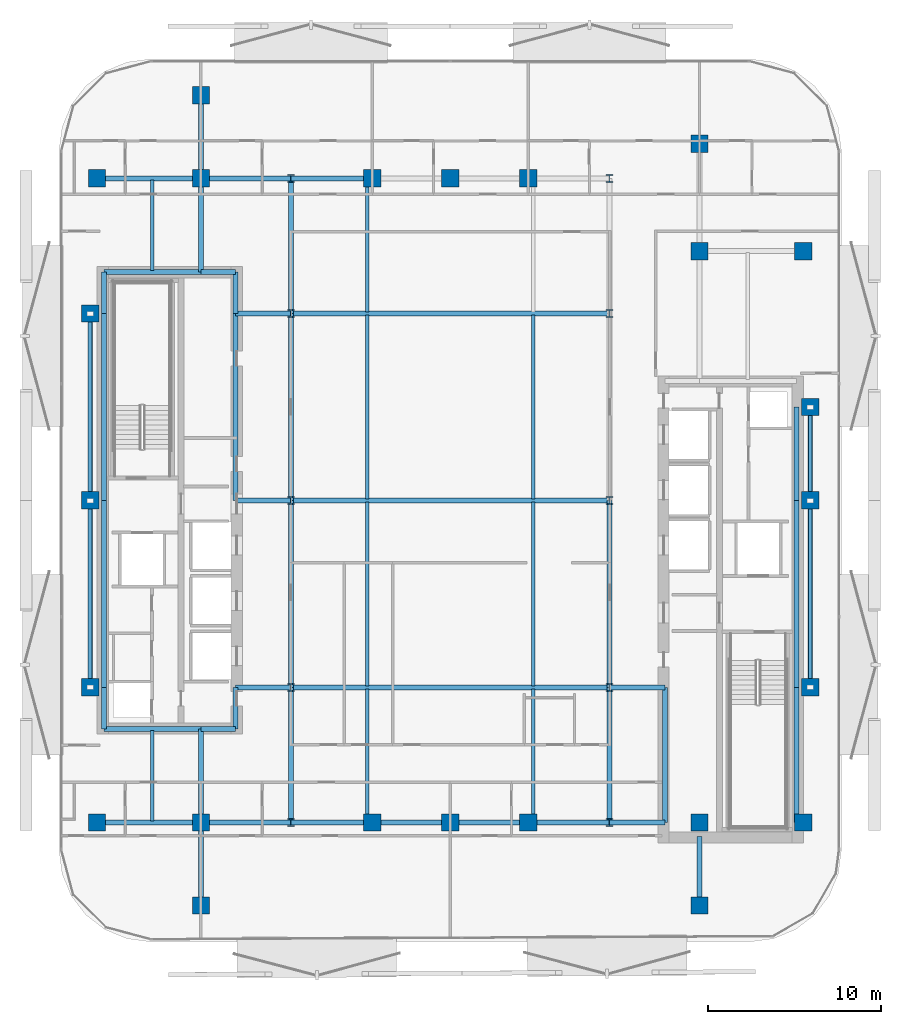
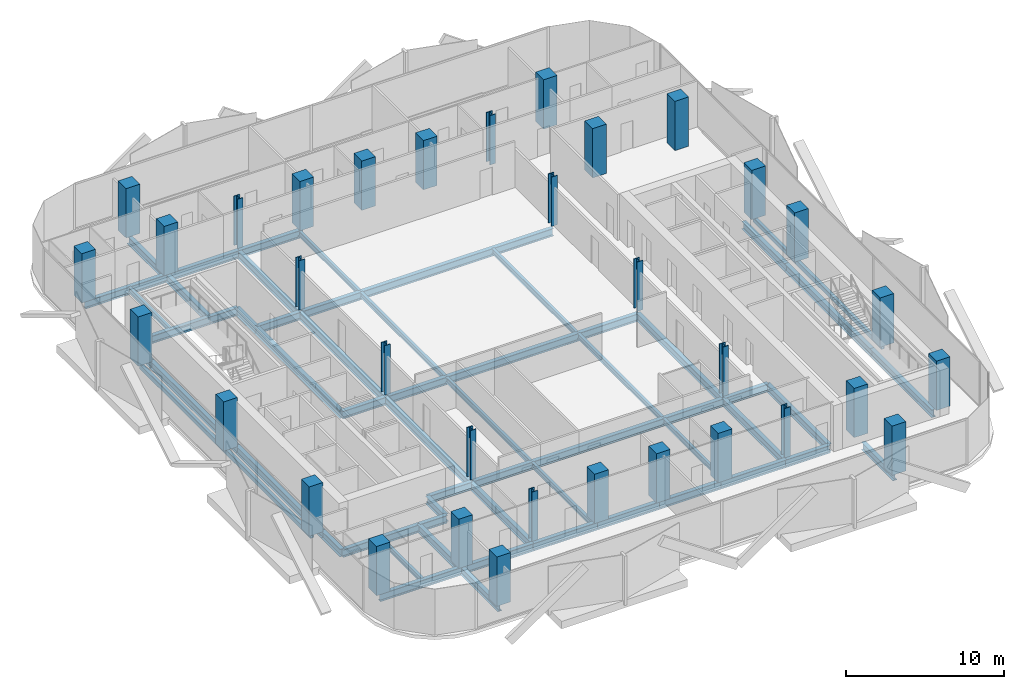
# One storey, part 1 of 17: 56 beams, 34 columns.
"""IFC4 building model written with IfcOpenShell, lengths in metres."""

from ifc_helpers import new_model, si_unit, direction, frame, origin, origin_2d, place, context, subcontext, project, spatial, rectangle, hollow_rectangle, i_section, extrude, material, material_profile, profile_set, type_object, element, save


model = new_model("IFC4")

# Units and contexts
model_context = context("Model", 3, precision=1e-05, world=origin(), true_north=direction((0.0, 1.0)))
body_context = subcontext(model_context, "Body", "Model", "MODEL_VIEW")
ifc_project = project(units=[si_unit("LENGTHUNIT", "METRE"), si_unit("AREAUNIT", "SQUARE_METRE"), si_unit("VOLUMEUNIT", "CUBIC_METRE"), si_unit("PLANEANGLEUNIT", "RADIAN"), si_unit("MASSUNIT", "GRAM", prefix="KILO")], contexts=[model_context])

# Site, building, storey
site_placement = place(None, origin())
site = spatial("IfcSite", under=ifc_project, at=site_placement, CompositionType="ELEMENT")
building_placement = place(site_placement, origin())
building = spatial("IfcBuilding", under=site, at=building_placement, Name="Khairoan Windgate Tower", CompositionType="ELEMENT")
storey_placement = place(building_placement, frame((0.0, 0.0, 172.60009765625)))
storey = spatial("IfcBuildingStorey", under=building, at=storey_placement, Name="L39", CompositionType="ELEMENT", Elevation=172.60009765625)

# Columns
ifc_material_1 = material(Name="Concrete C50/60", Category="concrete")
ifc_material_profile_1 = material_profile(ifc_material_1, rectangle(XDim=1.0, YDim=1.0, at=origin_2d()))
ifc_profile_set_1 = profile_set([ifc_material_profile_1], Name="Concrete C50/60")
column_type_1 = type_object("IfcColumnType", Name="Column C-T4 RC1000x1000", PredefinedType="COLUMN", material=ifc_profile_set_1)
for number, where, z_axis, x_axis, name in (
    (1, (-20.39990234375, -18.60009765625, 0.0), (0.0, 0.0, 1.0), (1.0, 0.0, 0.0), "Column L39-11"),
    (2, (-20.39990234375, 18.60009765625, 0.0), (0.0, 0.0, 1.0), (1.0, 0.0, 0.0), "Column L39-12"),
    (3, (20.39990234375, -18.60009765625, 0.0), (0.0, 0.0, 1.0), (1.0, 0.0, 0.0), "Column L39-13"),
    (4, (20.39990234375, 14.39990234375, 0.0), (0.0, 0.0, 1.0), (1.0, 0.0, 0.0), "Column L39-14"),
    (5, (-14.39990234375, -18.60009765625, 0.0), (0.0, 0.0, 1.0), (1.0, 0.0, 0.0), "Column L39-15"),
    (6, (-14.39990234375, 18.60009765625, 0.0), (0.0, 0.0, 1.0), (1.0, 0.0, 0.0), "Column L39-16"),
    (7, (14.39990234375, -18.60009765625, 0.0), (0.0, 0.0, 1.0), (1.0, 0.0, 0.0), "Column L39-17"),
    (8, (14.39990234375, 14.39990234375, 0.0), (0.0, 0.0, 1.0), (1.0, 0.0, 0.0), "Column L39-18"),
    (9, (-4.5, -18.60009765625, 0.0), (0.0, 0.0, 1.0), (1.0, 0.0, 0.0), "Column L39-19"),
    (10, (0.0, -18.60009765625, 0.0), (0.0, 0.0, 1.0), (1.0, 0.0, 0.0), "Column L39-20"),
    (11, (4.5, -18.60009765625, 0.0), (0.0, 0.0, 1.0), (1.0, 0.0, 0.0), "Column L39-21"),
    (12, (-4.5, 18.60009765625, 0.0), (0.0, 0.0, 1.0), (1.0, 0.0, 0.0), "Column L39-22"),
    (13, (0.0, 18.60009765625, 0.0), (0.0, 0.0, 1.0), (1.0, 0.0, 0.0), "Column L39-23"),
    (14, (4.5, 18.60009765625, 0.0), (0.0, 0.0, 1.0), (1.0, 0.0, 0.0), "Column L39-24"),
    (15, (-20.800048828125, -10.800048828125, 0.0), (0.0, 0.0, 1.0), (1.0, 0.0, 0.0), "Column L39-25"),
    (16, (-20.800048828125, 0.0, 0.0), (0.0, 0.0, 1.0), (1.0, 0.0, 0.0), "Column L39-26"),
    (17, (-20.800048828125, 10.800048828125, 0.0), (0.0, 0.0, 1.0), (1.0, 0.0, 0.0), "Column L39-27"),
    (18, (20.800048828125, -10.800048828125, 0.0), (0.0, 0.0, 1.0), (1.0, 0.0, 0.0), "Column L39-28"),
    (19, (20.800048828125, 0.0, 0.0), (0.0, 0.0, 1.0), (1.0, 0.0, 0.0), "Column L39-29"),
    (20, (20.800048828125, 5.39990234375, 0.0), (0.0, 0.0, 1.0), (1.0, 0.0, 0.0), "Column L39-30"),
    (21, (-14.39990234375, -23.39990234375, 0.0), (0.0, 0.0, 1.0), (1.0, 0.0, 0.0), "Column L39-31"),
    (22, (-14.39990234375, 23.39990234375, 0.0), (0.0, 0.0, 1.0), (1.0, 0.0, 0.0), "Column L39-32"),
    (23, (14.39990234375, -23.39990234375, 0.0), (0.0, 0.0, 1.0), (1.0, 0.0, 0.0), "Column L39-33"),
    (24, (14.39990234375, 20.60009765625, 0.0), (0.0, 0.0, 1.0), (1.0, 0.0, 0.0), "Column L39-34"),
):
    element("IfcColumn", number, at=place(storey_placement, frame(where, z_axis=z_axis, x_axis=x_axis)), inside=storey, type_object=column_type_1, Name=name, PredefinedType="COLUMN", context=body_context, shape_type="SweptSolid", body=[
        extrude(rectangle(XDim=1.0, YDim=1.0, at=origin_2d()), origin(), (0.0, 0.0, 1.0), 3.7998046875),
    ])
ifc_material_2 = material(Name="Steel S355", Category="steel")
ifc_material_profile_2 = material_profile(ifc_material_2, i_section(OverallWidth=0.4169921875, OverallDepth=0.4580078125, WebThickness=0.030029296875, FlangeThickness=0.050048828125, FilletRadius=0.02197265625, at=origin_2d()))
ifc_profile_set_2 = profile_set([ifc_material_profile_2], Name="Steel S355")
column_type_2 = type_object("IfcColumnType", Name="Steel Column SC2 H458x417x30x50", PredefinedType="COLUMN", material=ifc_profile_set_2)
for number, where, z_axis, x_axis, name in (
    (25, (-9.199951171875, -18.60009765625, 0.0), (0.0, 0.0, 1.0), (1.0, 0.0, 0.0), "Column L39-01"),
    (26, (-9.199951171875, -10.800048828125, 0.0), (0.0, 0.0, 1.0), (1.0, 0.0, 0.0), "Column L39-02"),
    (27, (-9.199951171875, 0.0, 0.0), (0.0, 0.0, 1.0), (1.0, 0.0, 0.0), "Column L39-03"),
    (28, (-9.199951171875, 10.800048828125, 0.0), (0.0, 0.0, 1.0), (1.0, 0.0, 0.0), "Column L39-04"),
    (29, (-9.199951171875, 18.60009765625, 0.0), (0.0, 0.0, 1.0), (1.0, 0.0, 0.0), "Column L39-05"),
    (30, (9.199951171875, -18.60009765625, 0.0), (0.0, 0.0, 1.0), (1.0, 0.0, 0.0), "Column L39-06"),
    (31, (9.199951171875, -10.800048828125, 0.0), (0.0, 0.0, 1.0), (1.0, 0.0, 0.0), "Column L39-07"),
    (32, (9.199951171875, 0.0, 0.0), (0.0, 0.0, 1.0), (1.0, 0.0, 0.0), "Column L39-08"),
    (33, (9.199951171875, 10.800048828125, 0.0), (0.0, 0.0, 1.0), (1.0, 0.0, 0.0), "Column L39-09"),
    (34, (9.199951171875, 18.60009765625, 0.0), (0.0, 0.0, 1.0), (1.0, 0.0, 0.0), "Column L39-10"),
):
    element("IfcColumn", number, at=place(storey_placement, frame(where, z_axis=z_axis, x_axis=x_axis)), inside=storey, type_object=column_type_2, Name=name, PredefinedType="COLUMN", context=body_context, shape_type="SweptSolid", body=[
        extrude(i_section(OverallWidth=0.4169921875, OverallDepth=0.4580078125, WebThickness=0.030029296875, FlangeThickness=0.050048828125, FilletRadius=0.02197265625, at=origin_2d()), origin(), (0.0, 0.0, 1.0), 3.7998046875),
    ])

# Beams
ifc_material_3 = material(Name="Steel S355", Category="steel")
ifc_material_profile_3 = material_profile(ifc_material_3, i_section(OverallWidth=0.300048828125, OverallDepth=0.587890625, WebThickness=0.011962890625, FlangeThickness=0.02001953125, FilletRadius=0.02392578125, at=origin_2d()))
ifc_profile_set_3 = profile_set([ifc_material_profile_3], Name="Steel S355")
beam_type_1 = type_object("IfcBeamType", Name="Beam B-G4 H588x300x12x20", PredefinedType="BEAM", material=ifc_profile_set_3)
beam_1_placement = place(storey_placement, frame((-20.39990234375, -18.60009765625, -0.55419921875), z_axis=(1.0, 0.0, 0.0), x_axis=(0.0, 1.0, 0.0)))
element("IfcBeam", 35, at=beam_1_placement, inside=storey, type_object=beam_type_1, Name="L39 E-W Primary Girder 01", PredefinedType="BEAM", context=body_context, shape_type="SweptSolid", body=[
    extrude(i_section(OverallWidth=0.300048828125, OverallDepth=0.587890625, WebThickness=0.011962890625, FlangeThickness=0.02001953125, FilletRadius=0.02392578125, at=origin_2d()), origin(), (0.0, 0.0, 1.0), 6.0),
])
beam_2_placement = place(storey_placement, frame((-14.39990234375, -18.60009765625, -0.55419921875), z_axis=(1.0, 0.0, 0.0), x_axis=(0.0, 1.0, 0.0)))
element("IfcBeam", 36, at=beam_2_placement, inside=storey, type_object=beam_type_1, Name="L39 E-W Primary Girder 02", PredefinedType="BEAM", context=body_context, shape_type="SweptSolid", body=[
    extrude(i_section(OverallWidth=0.300048828125, OverallDepth=0.587890625, WebThickness=0.011962890625, FlangeThickness=0.02001953125, FilletRadius=0.02392578125, at=origin_2d()), origin(), (0.0, 0.0, 1.0), 5.199951171875),
])
beam_3_placement = place(storey_placement, frame((-9.199951171875, -18.60009765625, -0.55419921875), z_axis=(1.0, 0.0, 0.0), x_axis=(0.0, 1.0, 0.0)))
element("IfcBeam", 37, at=beam_3_placement, inside=storey, type_object=beam_type_1, Name="L39 E-W Primary Girder 03", PredefinedType="BEAM", context=body_context, shape_type="SweptSolid", body=[
    extrude(i_section(OverallWidth=0.300048828125, OverallDepth=0.587890625, WebThickness=0.011962890625, FlangeThickness=0.02001953125, FilletRadius=0.02392578125, at=origin_2d()), origin(), (0.0, 0.0, 1.0), 4.699951171875),
])
for number, where, z_axis, x_axis, name in (
    (38, (-4.5, -18.60009765625, -0.55419921875), (1.0, 0.0, 0.0), (0.0, 1.0, 0.0), "L39 E-W Primary Girder 04"),
    (39, (0.0, -18.60009765625, -0.55419921875), (1.0, 0.0, 0.0), (0.0, 1.0, 0.0), "L39 E-W Primary Girder 05"),
):
    element("IfcBeam", number, at=place(storey_placement, frame(where, z_axis=z_axis, x_axis=x_axis)), inside=storey, type_object=beam_type_1, Name=name, PredefinedType="BEAM", context=body_context, shape_type="SweptSolid", body=[
        extrude(i_section(OverallWidth=0.300048828125, OverallDepth=0.587890625, WebThickness=0.011962890625, FlangeThickness=0.02001953125, FilletRadius=0.02392578125, at=origin_2d()), origin(), (0.0, 0.0, 1.0), 4.5),
    ])
beam_4_placement = place(storey_placement, frame((4.5, -18.60009765625, -0.55419921875), z_axis=(1.0, 0.0, 0.0), x_axis=(0.0, 1.0, 0.0)))
element("IfcBeam", 40, at=beam_4_placement, inside=storey, type_object=beam_type_1, Name="L39 E-W Primary Girder 06", PredefinedType="BEAM", context=body_context, shape_type="SweptSolid", body=[
    extrude(i_section(OverallWidth=0.300048828125, OverallDepth=0.587890625, WebThickness=0.011962890625, FlangeThickness=0.02001953125, FilletRadius=0.02392578125, at=origin_2d()), origin(), (0.0, 0.0, 1.0), 4.699951171875),
])
beam_5_placement = place(storey_placement, frame((9.199951171875, -18.60009765625, -0.55419921875), z_axis=(1.0, 0.0, 0.0), x_axis=(0.0, 1.0, 0.0)))
element("IfcBeam", 41, at=beam_5_placement, inside=storey, type_object=beam_type_1, Name="L39 E-W Primary Girder 07", PredefinedType="BEAM", context=body_context, shape_type="SweptSolid", body=[
    extrude(i_section(OverallWidth=0.300048828125, OverallDepth=0.587890625, WebThickness=0.011962890625, FlangeThickness=0.02001953125, FilletRadius=0.02392578125, at=origin_2d()), origin(), (0.0, 0.0, 1.0), 3.199951171875),
])
beam_6_placement = place(storey_placement, frame((-20.0, -13.199951171875, -0.55419921875), z_axis=(1.0, 0.0, 0.0), x_axis=(0.0, 1.0, 0.0)))
element("IfcBeam", 42, at=beam_6_placement, inside=storey, type_object=beam_type_1, Name="L39 E-W Primary Girder 08", PredefinedType="BEAM", context=body_context, shape_type="SweptSolid", body=[
    extrude(i_section(OverallWidth=0.300048828125, OverallDepth=0.587890625, WebThickness=0.011962890625, FlangeThickness=0.02001953125, FilletRadius=0.02392578125, at=origin_2d()), origin(), (0.0, 0.0, 1.0), 5.60009765625),
])
beam_7_placement = place(storey_placement, frame((-14.39990234375, -13.199951171875, -0.55419921875), z_axis=(1.0, 0.0, 0.0), x_axis=(0.0, 1.0, 0.0)))
element("IfcBeam", 43, at=beam_7_placement, inside=storey, type_object=beam_type_1, Name="L39 E-W Primary Girder 09", PredefinedType="BEAM", context=body_context, shape_type="SweptSolid", body=[
    extrude(i_section(OverallWidth=0.300048828125, OverallDepth=0.587890625, WebThickness=0.011962890625, FlangeThickness=0.02001953125, FilletRadius=0.02392578125, at=origin_2d()), origin(), (0.0, 0.0, 1.0), 2.0),
])
beam_8_placement = place(storey_placement, frame((-12.39990234375, -10.800048828125, -0.55419921875), z_axis=(1.0, 0.0, 0.0), x_axis=(0.0, 1.0, 0.0)))
element("IfcBeam", 44, at=beam_8_placement, inside=storey, type_object=beam_type_1, Name="L39 E-W Primary Girder 10", PredefinedType="BEAM", context=body_context, shape_type="SweptSolid", body=[
    extrude(i_section(OverallWidth=0.300048828125, OverallDepth=0.587890625, WebThickness=0.011962890625, FlangeThickness=0.02001953125, FilletRadius=0.02392578125, at=origin_2d()), origin(), (0.0, 0.0, 1.0), 3.199951171875),
])
beam_9_placement = place(storey_placement, frame((-9.199951171875, -10.800048828125, -0.55419921875), z_axis=(1.0, 0.0, 0.0), x_axis=(0.0, 1.0, 0.0)))
element("IfcBeam", 45, at=beam_9_placement, inside=storey, type_object=beam_type_1, Name="L39 E-W Primary Girder 11", PredefinedType="BEAM", context=body_context, shape_type="SweptSolid", body=[
    extrude(i_section(OverallWidth=0.300048828125, OverallDepth=0.587890625, WebThickness=0.011962890625, FlangeThickness=0.02001953125, FilletRadius=0.02392578125, at=origin_2d()), origin(), (0.0, 0.0, 1.0), 18.39990234375),
])
for number, where, z_axis, x_axis, name in (
    (46, (9.199951171875, -10.800048828125, -0.55419921875), (1.0, 0.0, 0.0), (0.0, 1.0, 0.0), "L39 E-W Primary Girder 12"),
    (47, (-12.39990234375, 0.0, -0.55419921875), (1.0, 0.0, 0.0), (0.0, 1.0, 0.0), "L39 E-W Primary Girder 13"),
):
    element("IfcBeam", number, at=place(storey_placement, frame(where, z_axis=z_axis, x_axis=x_axis)), inside=storey, type_object=beam_type_1, Name=name, PredefinedType="BEAM", context=body_context, shape_type="SweptSolid", body=[
        extrude(i_section(OverallWidth=0.300048828125, OverallDepth=0.587890625, WebThickness=0.011962890625, FlangeThickness=0.02001953125, FilletRadius=0.02392578125, at=origin_2d()), origin(), (0.0, 0.0, 1.0), 3.199951171875),
    ])
beam_10_placement = place(storey_placement, frame((-9.199951171875, 0.0, -0.55419921875), z_axis=(1.0, 0.0, 0.0), x_axis=(0.0, 1.0, 0.0)))
element("IfcBeam", 48, at=beam_10_placement, inside=storey, type_object=beam_type_1, Name="L39 E-W Primary Girder 14", PredefinedType="BEAM", context=body_context, shape_type="SweptSolid", body=[
    extrude(i_section(OverallWidth=0.300048828125, OverallDepth=0.587890625, WebThickness=0.011962890625, FlangeThickness=0.02001953125, FilletRadius=0.02392578125, at=origin_2d()), origin(), (0.0, 0.0, 1.0), 18.39990234375),
])
beam_11_placement = place(storey_placement, frame((-12.39990234375, 10.800048828125, -0.55419921875), z_axis=(1.0, 0.0, 0.0), x_axis=(0.0, 1.0, 0.0)))
element("IfcBeam", 49, at=beam_11_placement, inside=storey, type_object=beam_type_1, Name="L39 E-W Primary Girder 17", PredefinedType="BEAM", context=body_context, shape_type="SweptSolid", body=[
    extrude(i_section(OverallWidth=0.300048828125, OverallDepth=0.587890625, WebThickness=0.011962890625, FlangeThickness=0.02001953125, FilletRadius=0.02392578125, at=origin_2d()), origin(), (0.0, 0.0, 1.0), 3.199951171875),
])
beam_12_placement = place(storey_placement, frame((-9.199951171875, 10.800048828125, -0.55419921875), z_axis=(1.0, 0.0, 0.0), x_axis=(0.0, 1.0, 0.0)))
element("IfcBeam", 50, at=beam_12_placement, inside=storey, type_object=beam_type_1, Name="L39 E-W Primary Girder 18", PredefinedType="BEAM", context=body_context, shape_type="SweptSolid", body=[
    extrude(i_section(OverallWidth=0.300048828125, OverallDepth=0.587890625, WebThickness=0.011962890625, FlangeThickness=0.02001953125, FilletRadius=0.02392578125, at=origin_2d()), origin(), (0.0, 0.0, 1.0), 18.39990234375),
])
beam_13_placement = place(storey_placement, frame((-20.0, 13.199951171875, -0.55419921875), z_axis=(1.0, 0.0, 0.0), x_axis=(0.0, 1.0, 0.0)))
element("IfcBeam", 51, at=beam_13_placement, inside=storey, type_object=beam_type_1, Name="L39 E-W Primary Girder 19", PredefinedType="BEAM", context=body_context, shape_type="SweptSolid", body=[
    extrude(i_section(OverallWidth=0.300048828125, OverallDepth=0.587890625, WebThickness=0.011962890625, FlangeThickness=0.02001953125, FilletRadius=0.02392578125, at=origin_2d()), origin(), (0.0, 0.0, 1.0), 5.60009765625),
])
beam_14_placement = place(storey_placement, frame((-14.39990234375, 13.199951171875, -0.55419921875), z_axis=(1.0, 0.0, 0.0), x_axis=(0.0, 1.0, 0.0)))
element("IfcBeam", 52, at=beam_14_placement, inside=storey, type_object=beam_type_1, Name="L39 E-W Primary Girder 20", PredefinedType="BEAM", context=body_context, shape_type="SweptSolid", body=[
    extrude(i_section(OverallWidth=0.300048828125, OverallDepth=0.587890625, WebThickness=0.011962890625, FlangeThickness=0.02001953125, FilletRadius=0.02392578125, at=origin_2d()), origin(), (0.0, 0.0, 1.0), 2.0),
])
beam_15_placement = place(storey_placement, frame((-20.39990234375, 18.60009765625, -0.55419921875), z_axis=(1.0, 0.0, 0.0), x_axis=(0.0, 1.0, 0.0)))
element("IfcBeam", 53, at=beam_15_placement, inside=storey, type_object=beam_type_1, Name="L39 E-W Primary Girder 22", PredefinedType="BEAM", context=body_context, shape_type="SweptSolid", body=[
    extrude(i_section(OverallWidth=0.300048828125, OverallDepth=0.587890625, WebThickness=0.011962890625, FlangeThickness=0.02001953125, FilletRadius=0.02392578125, at=origin_2d()), origin(), (0.0, 0.0, 1.0), 6.0),
])
beam_16_placement = place(storey_placement, frame((-14.39990234375, 18.60009765625, -0.55419921875), z_axis=(1.0, 0.0, 0.0), x_axis=(0.0, 1.0, 0.0)))
element("IfcBeam", 54, at=beam_16_placement, inside=storey, type_object=beam_type_1, Name="L39 E-W Primary Girder 23", PredefinedType="BEAM", context=body_context, shape_type="SweptSolid", body=[
    extrude(i_section(OverallWidth=0.300048828125, OverallDepth=0.587890625, WebThickness=0.011962890625, FlangeThickness=0.02001953125, FilletRadius=0.02392578125, at=origin_2d()), origin(), (0.0, 0.0, 1.0), 5.199951171875),
])
beam_17_placement = place(storey_placement, frame((-9.199951171875, 18.60009765625, -0.55419921875), z_axis=(1.0, 0.0, 0.0), x_axis=(0.0, 1.0, 0.0)))
element("IfcBeam", 55, at=beam_17_placement, inside=storey, type_object=beam_type_1, Name="L39 E-W Primary Girder 24", PredefinedType="BEAM", context=body_context, shape_type="SweptSolid", body=[
    extrude(i_section(OverallWidth=0.300048828125, OverallDepth=0.587890625, WebThickness=0.011962890625, FlangeThickness=0.02001953125, FilletRadius=0.02392578125, at=origin_2d()), origin(), (0.0, 0.0, 1.0), 4.699951171875),
])
beam_18_placement = place(storey_placement, frame((-20.0, -13.199951171875, -0.55419921875), z_axis=(0.0, 1.0, 0.0), x_axis=(-1.0, 0.0, 0.0)))
element("IfcBeam", 56, at=beam_18_placement, inside=storey, type_object=beam_type_1, Name="L39 N-S Primary Beam 30", PredefinedType="BEAM", context=body_context, shape_type="SweptSolid", body=[
    extrude(i_section(OverallWidth=0.300048828125, OverallDepth=0.587890625, WebThickness=0.011962890625, FlangeThickness=0.02001953125, FilletRadius=0.02392578125, at=origin_2d()), origin(), (0.0, 0.0, 1.0), 2.39990234375),
])
for number, where, z_axis, x_axis, name in (
    (57, (-20.0, -10.800048828125, -0.55419921875), (0.0, 1.0, 0.0), (-1.0, 0.0, 0.0), "L39 N-S Primary Beam 31"),
    (58, (-20.0, 0.0, -0.55419921875), (0.0, 1.0, 0.0), (-1.0, 0.0, 0.0), "L39 N-S Primary Beam 32"),
):
    element("IfcBeam", number, at=place(storey_placement, frame(where, z_axis=z_axis, x_axis=x_axis)), inside=storey, type_object=beam_type_1, Name=name, PredefinedType="BEAM", context=body_context, shape_type="SweptSolid", body=[
        extrude(i_section(OverallWidth=0.300048828125, OverallDepth=0.587890625, WebThickness=0.011962890625, FlangeThickness=0.02001953125, FilletRadius=0.02392578125, at=origin_2d()), origin(), (0.0, 0.0, 1.0), 10.800048828125),
    ])
beam_19_placement = place(storey_placement, frame((-20.0, 10.800048828125, -0.55419921875), z_axis=(0.0, 1.0, 0.0), x_axis=(-1.0, 0.0, 0.0)))
element("IfcBeam", 59, at=beam_19_placement, inside=storey, type_object=beam_type_1, Name="L39 N-S Primary Beam 33", PredefinedType="BEAM", context=body_context, shape_type="SweptSolid", body=[
    extrude(i_section(OverallWidth=0.300048828125, OverallDepth=0.587890625, WebThickness=0.011962890625, FlangeThickness=0.02001953125, FilletRadius=0.02392578125, at=origin_2d()), origin(), (0.0, 0.0, 1.0), 2.39990234375),
])
beam_20_placement = place(storey_placement, frame((-14.39990234375, -23.39990234375, -0.55419921875), z_axis=(0.0, 1.0, 0.0), x_axis=(-1.0, 0.0, 0.0)))
element("IfcBeam", 60, at=beam_20_placement, inside=storey, type_object=beam_type_1, Name="L39 N-S Primary Beam 34", PredefinedType="BEAM", context=body_context, shape_type="SweptSolid", body=[
    extrude(i_section(OverallWidth=0.300048828125, OverallDepth=0.587890625, WebThickness=0.011962890625, FlangeThickness=0.02001953125, FilletRadius=0.02392578125, at=origin_2d()), origin(), (0.0, 0.0, 1.0), 4.7998046875),
])
for number, where, z_axis, x_axis, name in (
    (61, (-14.39990234375, -18.60009765625, -0.55419921875), (0.0, 1.0, 0.0), (-1.0, 0.0, 0.0), "L39 N-S Primary Beam 35"),
    (62, (-14.39990234375, 13.199951171875, -0.55419921875), (0.0, 1.0, 0.0), (-1.0, 0.0, 0.0), "L39 N-S Primary Beam 36"),
):
    element("IfcBeam", number, at=place(storey_placement, frame(where, z_axis=z_axis, x_axis=x_axis)), inside=storey, type_object=beam_type_1, Name=name, PredefinedType="BEAM", context=body_context, shape_type="SweptSolid", body=[
        extrude(i_section(OverallWidth=0.300048828125, OverallDepth=0.587890625, WebThickness=0.011962890625, FlangeThickness=0.02001953125, FilletRadius=0.02392578125, at=origin_2d()), origin(), (0.0, 0.0, 1.0), 5.400146484375),
    ])
beam_21_placement = place(storey_placement, frame((-14.39990234375, 18.60009765625, -0.55419921875), z_axis=(0.0, 1.0, 0.0), x_axis=(-1.0, 0.0, 0.0)))
element("IfcBeam", 63, at=beam_21_placement, inside=storey, type_object=beam_type_1, Name="L39 N-S Primary Beam 37", PredefinedType="BEAM", context=body_context, shape_type="SweptSolid", body=[
    extrude(i_section(OverallWidth=0.300048828125, OverallDepth=0.587890625, WebThickness=0.011962890625, FlangeThickness=0.02001953125, FilletRadius=0.02392578125, at=origin_2d()), origin(), (0.0, 0.0, 1.0), 4.7998046875),
])
beam_22_placement = place(storey_placement, frame((-12.39990234375, -13.199951171875, -0.55419921875), z_axis=(0.0, 1.0, 0.0), x_axis=(-1.0, 0.0, 0.0)))
element("IfcBeam", 64, at=beam_22_placement, inside=storey, type_object=beam_type_1, Name="L39 N-S Primary Beam 38", PredefinedType="BEAM", context=body_context, shape_type="SweptSolid", body=[
    extrude(i_section(OverallWidth=0.300048828125, OverallDepth=0.587890625, WebThickness=0.011962890625, FlangeThickness=0.02001953125, FilletRadius=0.02392578125, at=origin_2d()), origin(), (0.0, 0.0, 1.0), 2.39990234375),
])
beam_23_placement = place(storey_placement, frame((-12.39990234375, 0.0, -0.55419921875), z_axis=(0.0, 1.0, 0.0), x_axis=(-1.0, 0.0, 0.0)))
element("IfcBeam", 65, at=beam_23_placement, inside=storey, type_object=beam_type_1, Name="L39 N-S Primary Beam 39", PredefinedType="BEAM", context=body_context, shape_type="SweptSolid", body=[
    extrude(i_section(OverallWidth=0.300048828125, OverallDepth=0.587890625, WebThickness=0.011962890625, FlangeThickness=0.02001953125, FilletRadius=0.02392578125, at=origin_2d()), origin(), (0.0, 0.0, 1.0), 10.800048828125),
])
beam_24_placement = place(storey_placement, frame((-12.39990234375, 10.800048828125, -0.55419921875), z_axis=(0.0, 1.0, 0.0), x_axis=(-1.0, 0.0, 0.0)))
element("IfcBeam", 66, at=beam_24_placement, inside=storey, type_object=beam_type_1, Name="L39 N-S Primary Beam 40", PredefinedType="BEAM", context=body_context, shape_type="SweptSolid", body=[
    extrude(i_section(OverallWidth=0.300048828125, OverallDepth=0.587890625, WebThickness=0.011962890625, FlangeThickness=0.02001953125, FilletRadius=0.02392578125, at=origin_2d()), origin(), (0.0, 0.0, 1.0), 2.39990234375),
])
beam_25_placement = place(storey_placement, frame((-9.199951171875, -18.60009765625, -0.55419921875), z_axis=(0.0, 1.0, 0.0), x_axis=(-1.0, 0.0, 0.0)))
element("IfcBeam", 67, at=beam_25_placement, inside=storey, type_object=beam_type_1, Name="L39 N-S Primary Beam 41", PredefinedType="BEAM", context=body_context, shape_type="SweptSolid", body=[
    extrude(i_section(OverallWidth=0.300048828125, OverallDepth=0.587890625, WebThickness=0.011962890625, FlangeThickness=0.02001953125, FilletRadius=0.02392578125, at=origin_2d()), origin(), (0.0, 0.0, 1.0), 7.800048828125),
])
for number, where, z_axis, x_axis, name in (
    (68, (-9.199951171875, -10.800048828125, -0.55419921875), (0.0, 1.0, 0.0), (-1.0, 0.0, 0.0), "L39 N-S Primary Beam 42"),
    (69, (-9.199951171875, 0.0, -0.55419921875), (0.0, 1.0, 0.0), (-1.0, 0.0, 0.0), "L39 N-S Primary Beam 43"),
):
    element("IfcBeam", number, at=place(storey_placement, frame(where, z_axis=z_axis, x_axis=x_axis)), inside=storey, type_object=beam_type_1, Name=name, PredefinedType="BEAM", context=body_context, shape_type="SweptSolid", body=[
        extrude(i_section(OverallWidth=0.300048828125, OverallDepth=0.587890625, WebThickness=0.011962890625, FlangeThickness=0.02001953125, FilletRadius=0.02392578125, at=origin_2d()), origin(), (0.0, 0.0, 1.0), 10.800048828125),
    ])
for number, where, z_axis, x_axis, name in (
    (70, (-9.199951171875, 10.800048828125, -0.55419921875), (0.0, 1.0, 0.0), (-1.0, 0.0, 0.0), "L39 N-S Primary Beam 44"),
    (71, (9.199951171875, -18.60009765625, -0.55419921875), (0.0, 1.0, 0.0), (-1.0, 0.0, 0.0), "L39 N-S Primary Beam 45"),
):
    element("IfcBeam", number, at=place(storey_placement, frame(where, z_axis=z_axis, x_axis=x_axis)), inside=storey, type_object=beam_type_1, Name=name, PredefinedType="BEAM", context=body_context, shape_type="SweptSolid", body=[
        extrude(i_section(OverallWidth=0.300048828125, OverallDepth=0.587890625, WebThickness=0.011962890625, FlangeThickness=0.02001953125, FilletRadius=0.02392578125, at=origin_2d()), origin(), (0.0, 0.0, 1.0), 7.800048828125),
    ])
beam_26_placement = place(storey_placement, frame((9.199951171875, -10.800048828125, -0.55419921875), z_axis=(0.0, 1.0, 0.0), x_axis=(-1.0, 0.0, 0.0)))
element("IfcBeam", 72, at=beam_26_placement, inside=storey, type_object=beam_type_1, Name="L39 N-S Primary Beam 46", PredefinedType="BEAM", context=body_context, shape_type="SweptSolid", body=[
    extrude(i_section(OverallWidth=0.300048828125, OverallDepth=0.587890625, WebThickness=0.011962890625, FlangeThickness=0.02001953125, FilletRadius=0.02392578125, at=origin_2d()), origin(), (0.0, 0.0, 1.0), 10.800048828125),
])
beam_27_placement = place(storey_placement, frame((12.39990234375, -18.60009765625, -0.55419921875), z_axis=(0.0, 1.0, 0.0), x_axis=(-1.0, 0.0, 0.0)))
element("IfcBeam", 73, at=beam_27_placement, inside=storey, type_object=beam_type_1, Name="L39 N-S Primary Beam 49", PredefinedType="BEAM", context=body_context, shape_type="SweptSolid", body=[
    extrude(i_section(OverallWidth=0.300048828125, OverallDepth=0.587890625, WebThickness=0.011962890625, FlangeThickness=0.02001953125, FilletRadius=0.02392578125, at=origin_2d()), origin(), (0.0, 0.0, 1.0), 7.800048828125),
])
beam_28_placement = place(storey_placement, frame((14.39990234375, -23.39990234375, -0.55419921875), z_axis=(0.0, 1.0, 0.0), x_axis=(-1.0, 0.0, 0.0)))
element("IfcBeam", 74, at=beam_28_placement, inside=storey, type_object=beam_type_1, Name="L39 N-S Primary Beam 50", PredefinedType="BEAM", context=body_context, shape_type="SweptSolid", body=[
    extrude(i_section(OverallWidth=0.300048828125, OverallDepth=0.587890625, WebThickness=0.011962890625, FlangeThickness=0.02001953125, FilletRadius=0.02392578125, at=origin_2d()), origin(), (0.0, 0.0, 1.0), 4.0),
])
beam_29_placement = place(storey_placement, frame((20.0, -18.60009765625, -0.55419921875), z_axis=(0.0, 1.0, 0.0), x_axis=(-1.0, 0.0, 0.0)))
element("IfcBeam", 75, at=beam_29_placement, inside=storey, type_object=beam_type_1, Name="L39 N-S Primary Beam 53", PredefinedType="BEAM", context=body_context, shape_type="SweptSolid", body=[
    extrude(i_section(OverallWidth=0.300048828125, OverallDepth=0.587890625, WebThickness=0.011962890625, FlangeThickness=0.02001953125, FilletRadius=0.02392578125, at=origin_2d()), origin(), (0.0, 0.0, 1.0), 7.800048828125),
])
beam_30_placement = place(storey_placement, frame((20.0, -10.800048828125, -0.55419921875), z_axis=(0.0, 1.0, 0.0), x_axis=(-1.0, 0.0, 0.0)))
element("IfcBeam", 76, at=beam_30_placement, inside=storey, type_object=beam_type_1, Name="L39 N-S Primary Beam 54", PredefinedType="BEAM", context=body_context, shape_type="SweptSolid", body=[
    extrude(i_section(OverallWidth=0.300048828125, OverallDepth=0.587890625, WebThickness=0.011962890625, FlangeThickness=0.02001953125, FilletRadius=0.02392578125, at=origin_2d()), origin(), (0.0, 0.0, 1.0), 10.800048828125),
])
beam_31_placement = place(storey_placement, frame((20.0, 0.0, -0.55419921875), z_axis=(0.0, 1.0, 0.0), x_axis=(-1.0, 0.0, 0.0)))
element("IfcBeam", 77, at=beam_31_placement, inside=storey, type_object=beam_type_1, Name="L39 N-S Primary Beam 55", PredefinedType="BEAM", context=body_context, shape_type="SweptSolid", body=[
    extrude(i_section(OverallWidth=0.300048828125, OverallDepth=0.587890625, WebThickness=0.011962890625, FlangeThickness=0.02001953125, FilletRadius=0.02392578125, at=origin_2d()), origin(), (0.0, 0.0, 1.0), 5.39990234375),
])
ifc_material_4 = material(Name="Steel S355", Category="steel")
ifc_material_profile_4 = material_profile(ifc_material_4, i_section(OverallWidth=0.199951171875, OverallDepth=0.39990234375, WebThickness=0.008056640625, FlangeThickness=0.012939453125, FilletRadius=0.01611328125, at=origin_2d()))
ifc_profile_set_4 = profile_set([ifc_material_profile_4], Name="Steel S355")
beam_type_2 = type_object("IfcBeamType", Name="Beam J-S4 H400x200x8x13", PredefinedType="JOIST", material=ifc_profile_set_4)
for number, where, z_axis, x_axis, name in (
    (78, (-17.199951171875, -18.510009765625, -0.460205078125), (0.0, 1.0, 0.0), (-1.0, 0.0, 0.0), "L39 Secondary Floor Joist 01"),
    (79, (-17.199951171875, 13.2900390625, -0.460205078125), (0.0, 1.0, 0.0), (-1.0, 0.0, 0.0), "L39 Secondary Floor Joist 02"),
):
    element("IfcBeam", number, at=place(storey_placement, frame(where, z_axis=z_axis, x_axis=x_axis)), inside=storey, type_object=beam_type_2, Name=name, PredefinedType="JOIST", context=body_context, shape_type="SweptSolid", body=[
        extrude(i_section(OverallWidth=0.199951171875, OverallDepth=0.39990234375, WebThickness=0.008056640625, FlangeThickness=0.012939453125, FilletRadius=0.01611328125, at=origin_2d()), origin(), (0.0, 0.0, 1.0), 5.219970703125),
    ])
beam_32_placement = place(storey_placement, frame((-4.800048828125, -18.510009765625, -0.460205078125), z_axis=(0.0, 1.0, 0.0), x_axis=(-1.0, 0.0, 0.0)))
element("IfcBeam", 80, at=beam_32_placement, inside=storey, type_object=beam_type_2, Name="L39 Secondary Floor Joist 03", PredefinedType="JOIST", context=body_context, shape_type="SweptSolid", body=[
    extrude(i_section(OverallWidth=0.199951171875, OverallDepth=0.39990234375, WebThickness=0.008056640625, FlangeThickness=0.012939453125, FilletRadius=0.01611328125, at=origin_2d()), origin(), (0.0, 0.0, 1.0), 7.6201171875),
])
for number, where, z_axis, x_axis, name in (
    (81, (-4.800048828125, -10.7099609375, -0.460205078125), (0.0, 1.0, 0.0), (-1.0, 0.0, 0.0), "L39 Secondary Floor Joist 04"),
    (82, (-4.800048828125, 0.090087890625, -0.460205078125), (0.0, 1.0, 0.0), (-1.0, 0.0, 0.0), "L39 Secondary Floor Joist 05"),
):
    element("IfcBeam", number, at=place(storey_placement, frame(where, z_axis=z_axis, x_axis=x_axis)), inside=storey, type_object=beam_type_2, Name=name, PredefinedType="JOIST", context=body_context, shape_type="SweptSolid", body=[
        extrude(i_section(OverallWidth=0.199951171875, OverallDepth=0.39990234375, WebThickness=0.008056640625, FlangeThickness=0.012939453125, FilletRadius=0.01611328125, at=origin_2d()), origin(), (0.0, 0.0, 1.0), 10.619873046875),
    ])
for number, where, z_axis, x_axis, name in (
    (83, (-4.800048828125, 10.889892578125, -0.460205078125), (0.0, 1.0, 0.0), (-1.0, 0.0, 0.0), "L39 Secondary Floor Joist 06"),
    (84, (4.800048828125, -18.510009765625, -0.460205078125), (0.0, 1.0, 0.0), (-1.0, 0.0, 0.0), "L39 Secondary Floor Joist 07"),
):
    element("IfcBeam", number, at=place(storey_placement, frame(where, z_axis=z_axis, x_axis=x_axis)), inside=storey, type_object=beam_type_2, Name=name, PredefinedType="JOIST", context=body_context, shape_type="SweptSolid", body=[
        extrude(i_section(OverallWidth=0.199951171875, OverallDepth=0.39990234375, WebThickness=0.008056640625, FlangeThickness=0.012939453125, FilletRadius=0.01611328125, at=origin_2d()), origin(), (0.0, 0.0, 1.0), 7.6201171875),
    ])
for number, where, z_axis, x_axis, name in (
    (85, (4.800048828125, -10.7099609375, -0.460205078125), (0.0, 1.0, 0.0), (-1.0, 0.0, 0.0), "L39 Secondary Floor Joist 08"),
    (86, (4.800048828125, 0.090087890625, -0.460205078125), (0.0, 1.0, 0.0), (-1.0, 0.0, 0.0), "L39 Secondary Floor Joist 09"),
):
    element("IfcBeam", number, at=place(storey_placement, frame(where, z_axis=z_axis, x_axis=x_axis)), inside=storey, type_object=beam_type_2, Name=name, PredefinedType="JOIST", context=body_context, shape_type="SweptSolid", body=[
        extrude(i_section(OverallWidth=0.199951171875, OverallDepth=0.39990234375, WebThickness=0.008056640625, FlangeThickness=0.012939453125, FilletRadius=0.01611328125, at=origin_2d()), origin(), (0.0, 0.0, 1.0), 10.619873046875),
    ])
ifc_material_5 = material(Name="Steel S355", Category="steel")
ifc_material_profile_5 = material_profile(ifc_material_5, hollow_rectangle(XDim=0.25, YDim=0.35009765625, WallThickness=0.012451171875, InnerFilletRadius=0.012451171875, OuterFilletRadius=0.02490234375, at=origin_2d()))
ifc_profile_set_5 = profile_set([ifc_material_profile_5], Name="Steel S355")
beam_type_3 = type_object("IfcBeamType", Name="Beam SP-B2 RHS350x250x12.5", PredefinedType="SPANDREL", material=ifc_profile_set_5)
for number, where, z_axis, x_axis, name in (
    (87, (-20.800048828125, -10.800048828125, -0.43505859375), (0.0, 1.0, 0.0), (-1.0, 0.0, 0.0), "L39 Spandrel Beam 28"),
    (88, (-20.800048828125, 0.0, -0.43505859375), (0.0, 1.0, 0.0), (-1.0, 0.0, 0.0), "L39 Spandrel Beam 29"),
    (89, (20.800048828125, -10.800048828125, -0.43505859375), (0.0, 1.0, 0.0), (-1.0, 0.0, 0.0), "L39 Spandrel Beam 56"),
):
    element("IfcBeam", number, at=place(storey_placement, frame(where, z_axis=z_axis, x_axis=x_axis)), inside=storey, type_object=beam_type_3, Name=name, PredefinedType="SPANDREL", context=body_context, shape_type="SweptSolid", body=[
        extrude(hollow_rectangle(XDim=0.25, YDim=0.35009765625, WallThickness=0.012451171875, InnerFilletRadius=0.012451171875, OuterFilletRadius=0.02490234375, at=origin_2d()), origin(), (0.0, 0.0, 1.0), 10.800048828125),
    ])
beam_33_placement = place(storey_placement, frame((20.800048828125, 0.0, -0.43505859375), z_axis=(0.0, 1.0, 0.0), x_axis=(-1.0, 0.0, 0.0)))
element("IfcBeam", 90, at=beam_33_placement, inside=storey, type_object=beam_type_3, Name="L39 Spandrel Beam 57", PredefinedType="SPANDREL", context=body_context, shape_type="SweptSolid", body=[
    extrude(hollow_rectangle(XDim=0.25, YDim=0.35009765625, WallThickness=0.012451171875, InnerFilletRadius=0.012451171875, OuterFilletRadius=0.02490234375, at=origin_2d()), origin(), (0.0, 0.0, 1.0), 5.39990234375),
])

save(model, "model.ifc")
